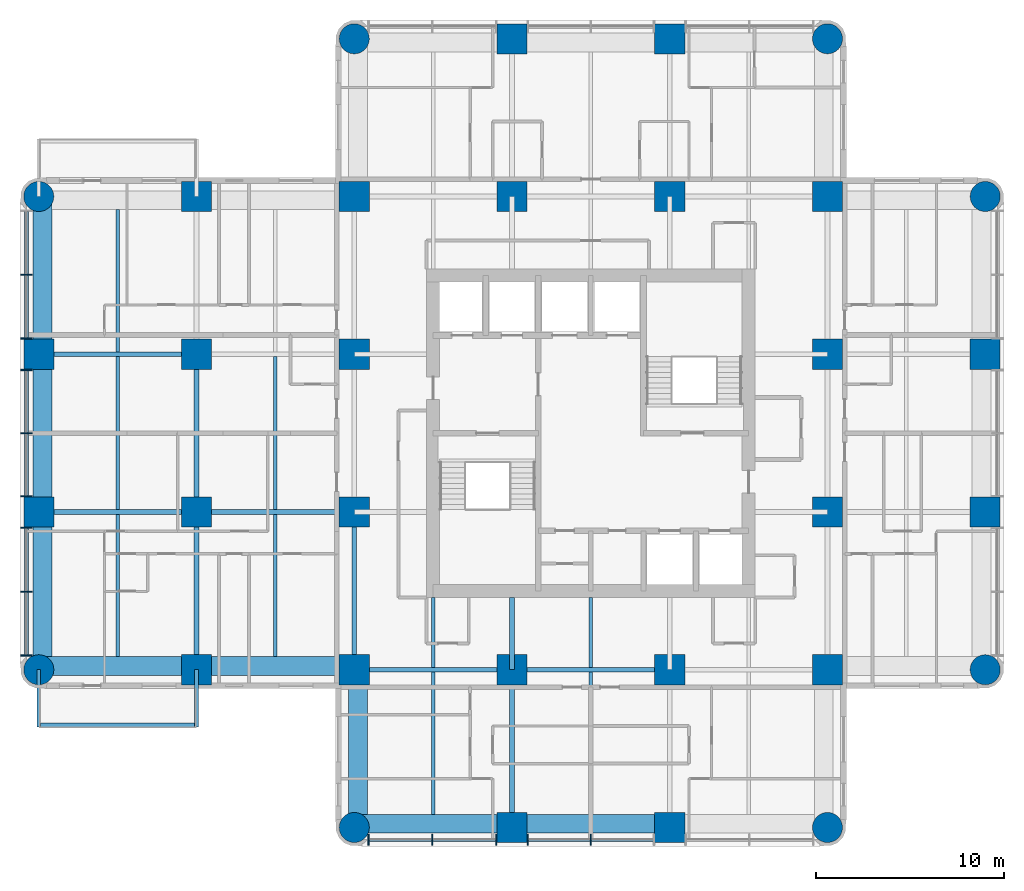
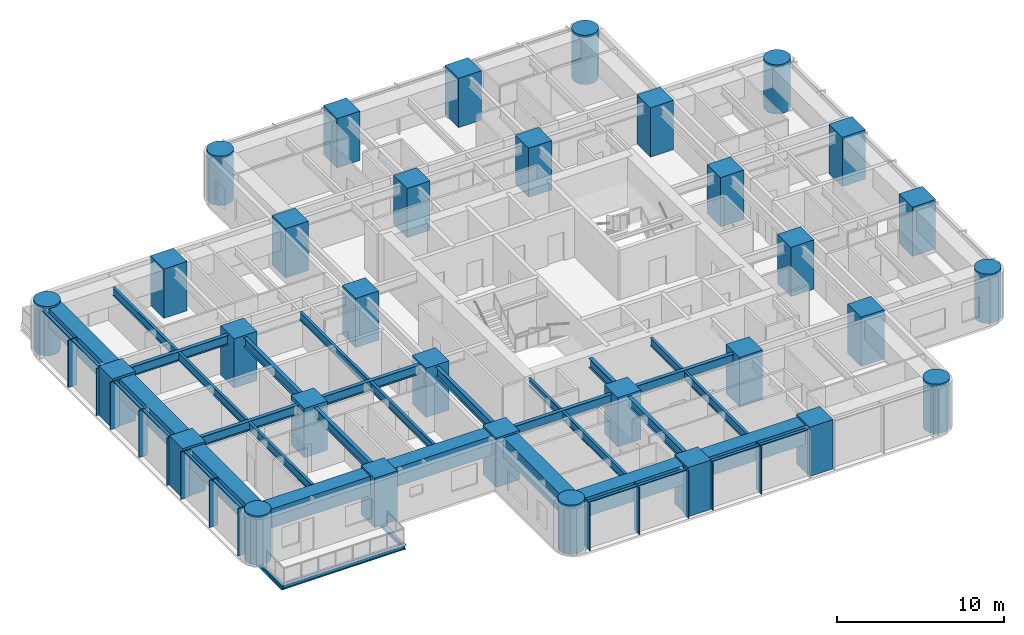
# One storey, part 1 of 11: 32 columns, 30 beams, 23 members, 2 elements without a shape of their own.
"""IFC4 building model written with IfcOpenShell, lengths in metres."""

from ifc_helpers import new_model, si_unit, direction, frame, origin, origin_2d, place, context, subcontext, project, spatial, rectangle, circle, i_section, extrude, material, material_profile, profile_set, type_object, element, aggregate, save


model = new_model("IFC4")

# Units and contexts
model_context = context("Model", 3, precision=1e-05, world=origin(), true_north=direction((0.0, 1.0)))
body_context = subcontext(model_context, "Body", "Model", "MODEL_VIEW")
ifc_project = project(units=[si_unit("LENGTHUNIT", "METRE"), si_unit("AREAUNIT", "SQUARE_METRE"), si_unit("VOLUMEUNIT", "CUBIC_METRE"), si_unit("PLANEANGLEUNIT", "RADIAN"), si_unit("MASSUNIT", "GRAM", prefix="KILO")], contexts=[model_context])

# Site, building, storey
site_placement = place(None, origin())
site = spatial("IfcSite", under=ifc_project, at=site_placement, CompositionType="ELEMENT")
building_placement = place(site_placement, origin())
building = spatial("IfcBuilding", under=site, at=building_placement, Name="Torre Alcanfor", CompositionType="ELEMENT")
storey_placement = place(building_placement, frame((0.0, 0.0, 240.89990234375)))
storey = spatial("IfcBuildingStorey", under=building, at=storey_placement, Name="L63", CompositionType="ELEMENT", Elevation=240.89990234375)

# Columns
ifc_material_1 = material(Name="Concrete f'c 70 MPa", Category="concrete")
ifc_material_profile_1 = material_profile(ifc_material_1, rectangle(XDim=1.60009765625, YDim=1.60009765625, at=origin_2d()), Name="1600x1600")
ifc_profile_set_1 = profile_set([ifc_material_profile_1], Name="Concrete f'c 70 MPa")
column_type_1 = type_object("IfcColumnType", Name="RC column 1600x1600 f'c70", PredefinedType="COLUMN", material=ifc_profile_set_1)
for number, where, z_axis, x_axis, name in (
    (1, (0.0, 25.199951171875, 0.0), (0.0, 0.0, 1.0), (1.0, 0.0, 0.0), "Column 1/F L63"),
    (2, (0.0, 33.60009765625, 0.0), (0.0, 0.0, 1.0), (1.0, 0.0, 0.0), "Column 1/G L63"),
    (3, (8.39990234375, 16.800048828125, 0.0), (0.0, 0.0, 1.0), (1.0, 0.0, 0.0), "Column 2/E L63"),
    (4, (8.39990234375, 25.199951171875, 0.0), (0.0, 0.0, 1.0), (1.0, 0.0, 0.0), "Column 2/F L63"),
    (5, (8.39990234375, 33.60009765625, 0.0), (0.0, 0.0, 1.0), (1.0, 0.0, 0.0), "Column 2/G L63"),
    (6, (8.39990234375, 42.0, 0.0), (0.0, 0.0, 1.0), (1.0, 0.0, 0.0), "Column 2/H L63"),
    (7, (16.800048828125, 16.800048828125, 0.0), (0.0, 0.0, 1.0), (1.0, 0.0, 0.0), "Column 3/E L63"),
    (8, (16.800048828125, 25.199951171875, 0.0), (0.0, 0.0, 1.0), (1.0, 0.0, 0.0), "Column 3/F L63"),
    (9, (16.800048828125, 33.60009765625, 0.0), (0.0, 0.0, 1.0), (1.0, 0.0, 0.0), "Column 3/G L63"),
    (10, (16.800048828125, 42.0, 0.0), (0.0, 0.0, 1.0), (1.0, 0.0, 0.0), "Column 3/H L63"),
    (11, (25.199951171875, 8.39990234375, 0.0), (0.0, 0.0, 1.0), (1.0, 0.0, 0.0), "Column 4/D L63"),
    (12, (25.199951171875, 16.800048828125, 0.0), (0.0, 0.0, 1.0), (1.0, 0.0, 0.0), "Column 4/E L63"),
    (13, (25.199951171875, 42.0, 0.0), (0.0, 0.0, 1.0), (1.0, 0.0, 0.0), "Column 4/H L63"),
    (14, (25.199951171875, 50.39990234375, 0.0), (0.0, 0.0, 1.0), (1.0, 0.0, 0.0), "Column 4/J L63"),
    (15, (33.60009765625, 8.39990234375, 0.0), (0.0, 0.0, 1.0), (1.0, 0.0, 0.0), "Column 5/D L63"),
    (16, (33.60009765625, 16.800048828125, 0.0), (0.0, 0.0, 1.0), (1.0, 0.0, 0.0), "Column 5/E L63"),
    (17, (33.60009765625, 42.0, 0.0), (0.0, 0.0, 1.0), (1.0, 0.0, 0.0), "Column 5/H L63"),
    (18, (33.60009765625, 50.39990234375, 0.0), (0.0, 0.0, 1.0), (1.0, 0.0, 0.0), "Column 5/J L63"),
    (19, (42.0, 16.800048828125, 0.0), (0.0, 0.0, 1.0), (1.0, 0.0, 0.0), "Column 6/E L63"),
    (20, (42.0, 25.199951171875, 0.0), (0.0, 0.0, 1.0), (1.0, 0.0, 0.0), "Column 6/F L63"),
    (21, (42.0, 33.60009765625, 0.0), (0.0, 0.0, 1.0), (1.0, 0.0, 0.0), "Column 6/G L63"),
    (22, (42.0, 42.0, 0.0), (0.0, 0.0, 1.0), (1.0, 0.0, 0.0), "Column 6/H L63"),
    (23, (50.39990234375, 25.199951171875, 0.0), (0.0, 0.0, 1.0), (1.0, 0.0, 0.0), "Column 7/F L63"),
    (24, (50.39990234375, 33.60009765625, 0.0), (0.0, 0.0, 1.0), (1.0, 0.0, 0.0), "Column 7/G L63"),
):
    element("IfcColumn", number, at=place(storey_placement, frame(where, z_axis=z_axis, x_axis=x_axis)), inside=storey, type_object=column_type_1, Name=name, PredefinedType="COLUMN", context=body_context, shape_type="SweptSolid", body=[
        extrude(rectangle(XDim=1.60009765625, YDim=1.60009765625, at=origin_2d()), origin(), (0.0, 0.0, 1.0), 3.60009765625),
    ])
ifc_material_2 = material(Name="Concrete f'c 70 MPa", Category="concrete")
ifc_material_profile_2 = material_profile(ifc_material_2, circle(Radius=0.800048828125, at=origin_2d()), Name="D1600")
ifc_profile_set_2 = profile_set([ifc_material_profile_2], Name="Concrete f'c 70 MPa")
column_type_2 = type_object("IfcColumnType", Name="RC column D1600 f'c70", PredefinedType="COLUMN", material=ifc_profile_set_2)
for number, where, z_axis, x_axis, name in (
    (25, (0.0, 16.800048828125, 0.0), (0.0, 0.0, 1.0), (1.0, 0.0, 0.0), "Column 1/E L63"),
    (26, (0.0, 42.0, 0.0), (0.0, 0.0, 1.0), (1.0, 0.0, 0.0), "Column 1/H L63"),
    (27, (16.800048828125, 8.39990234375, 0.0), (0.0, 0.0, 1.0), (1.0, 0.0, 0.0), "Column 3/D L63"),
    (28, (16.800048828125, 50.39990234375, 0.0), (0.0, 0.0, 1.0), (1.0, 0.0, 0.0), "Column 3/J L63"),
    (29, (42.0, 8.39990234375, 0.0), (0.0, 0.0, 1.0), (1.0, 0.0, 0.0), "Column 6/D L63"),
    (30, (42.0, 50.39990234375, 0.0), (0.0, 0.0, 1.0), (1.0, 0.0, 0.0), "Column 6/J L63"),
    (31, (50.39990234375, 16.800048828125, 0.0), (0.0, 0.0, 1.0), (1.0, 0.0, 0.0), "Column 7/E L63"),
    (32, (50.39990234375, 42.0, 0.0), (0.0, 0.0, 1.0), (1.0, 0.0, 0.0), "Column 7/H L63"),
):
    element("IfcColumn", number, at=place(storey_placement, frame(where, z_axis=z_axis, x_axis=x_axis)), inside=storey, type_object=column_type_2, Name=name, PredefinedType="COLUMN", context=body_context, shape_type="SweptSolid", body=[
        extrude(circle(Radius=0.800048828125, at=origin_2d()), origin(), (0.0, 0.0, 1.0), 3.60009765625),
    ])

# Beams
ifc_material_3 = material(Name="Steel ASTM A992 Grade 50", Category="steel")
ifc_material_profile_3 = material_profile(ifc_material_3, i_section(OverallWidth=0.205322265625, OverallDepth=0.309814453125, WebThickness=0.00927734375, FlangeThickness=0.016357421875, at=origin_2d()), Name="W12x50")
ifc_profile_set_3 = profile_set([ifc_material_profile_3], Name="Steel ASTM A992 Grade 50")
beam_type_1 = type_object("IfcBeamType", Name="Balcony cantilever beam W12x50", PredefinedType="BEAM", material=ifc_profile_set_3)
for number, where, z_axis, x_axis, name in (
    (33, (8.39990234375, 16.800048828125, -0.354736328125), (0.0, -1.0, 0.0), (1.0, 0.0, 0.0), "Balcony cantilever beam L63-W1 1"),
    (34, (0.0, 16.800048828125, -0.354736328125), (0.0, -1.0, 0.0), (1.0, 0.0, 0.0), "Balcony cantilever beam L63-W1 2"),
):
    element("IfcBeam", number, at=place(storey_placement, frame(where, z_axis=z_axis, x_axis=x_axis)), inside=storey, type_object=beam_type_1, Name=name, PredefinedType="BEAM", context=body_context, shape_type="SweptSolid", body=[
        extrude(i_section(OverallWidth=0.205322265625, OverallDepth=0.309814453125, WebThickness=0.00927734375, FlangeThickness=0.016357421875, at=origin_2d()), origin(), (0.0, 0.0, 1.0), 3.050048828125),
    ])
ifc_material_4 = material(Name="Steel ASTM A992 Grade 50", Category="steel")
ifc_material_profile_4 = material_profile(ifc_material_4, i_section(OverallWidth=0.203369140625, OverallDepth=0.30224609375, WebThickness=0.007568359375, FlangeThickness=0.01318359375, at=origin_2d()), Name="W12x40")
ifc_profile_set_4 = profile_set([ifc_material_profile_4], Name="Steel ASTM A992 Grade 50")
beam_type_2 = type_object("IfcBeamType", Name="Balcony edge trimmer W12x40", PredefinedType="BEAM", material=ifc_profile_set_4)
beam_1_placement = place(storey_placement, frame((8.39990234375, 13.851806640625, -0.35107421875), z_axis=(-1.0, 0.0, 0.0), x_axis=(0.0, -1.0, 0.0)))
element("IfcBeam", 35, at=beam_1_placement, inside=storey, type_object=beam_type_2, Name="Balcony edge trimmer L63-W1", PredefinedType="BEAM", context=body_context, shape_type="SweptSolid", body=[
    extrude(i_section(OverallWidth=0.203369140625, OverallDepth=0.30224609375, WebThickness=0.007568359375, FlangeThickness=0.01318359375, at=origin_2d()), origin(), (0.0, 0.0, 1.0), 8.39990234375),
])

# Curtain wall, members
ifc_material_5 = material(Name="Aluminium and glass", Category="aluminium")
curtain_wall_type = type_object("IfcCurtainWallType", Name="CW-A unitised apartment glazing with vertical FIN", PredefinedType="NOTDEFINED", material=ifc_material_5)
curtain_wall_1_placement = place(storey_placement, origin())
curtain_wall_1 = element("IfcCurtainWall", 36, at=curtain_wall_1_placement, inside=storey, type_object=curtain_wall_type, Name="Curtain wall CW-A L63 2", PredefinedType="NOTDEFINED")
ifc_material_6 = material(Name="Bronze anodised aluminium", Category="aluminium")
ifc_material_profile_5 = material_profile(ifc_material_6, rectangle(XDim=0.60009765625, YDim=0.06494140625, at=origin_2d()), Name="CW-A mullion 65x600")
ifc_profile_set_5 = profile_set([ifc_material_profile_5], Name="Bronze anodised aluminium")
member_type_1 = type_object("IfcMemberType", Name="CW-A mullion with vertical FIN 65x600", PredefinedType="MULLION", material=ifc_profile_set_5)
member_1_placement = place(storey_placement, frame((-0.64990234375, 37.840087890625, 0.0), z_axis=(0.0, 0.0, 1.0), x_axis=(1.0, 0.0, 0.0)))
member_1 = element("IfcMember", 37, at=member_1_placement, type_object=member_type_1, Name="CW-A mullion 1.2", PredefinedType="MULLION", context=body_context, shape_type="SweptSolid", body=[
    extrude(rectangle(XDim=0.60009765625, YDim=0.06494140625, at=origin_2d()), origin(), (0.0, 0.0, 1.0), 3.4501953125),
])
member_2_placement = place(storey_placement, frame((-0.64990234375, 34.4375, 0.0), z_axis=(0.0, 0.0, 1.0), x_axis=(1.0, 0.0, 0.0)))
member_2 = element("IfcMember", 38, at=member_2_placement, type_object=member_type_1, Name="CW-A mullion 1.3", PredefinedType="MULLION", context=body_context, shape_type="SweptSolid", body=[
    extrude(rectangle(XDim=0.60009765625, YDim=0.06494140625, at=origin_2d()), origin(), (0.0, 0.0, 1.0), 3.4501953125),
])
member_3_placement = place(storey_placement, frame((-0.64990234375, 32.762451171875, 0.0), z_axis=(0.0, 0.0, 1.0), x_axis=(1.0, 0.0, 0.0)))
member_3 = element("IfcMember", 39, at=member_3_placement, type_object=member_type_1, Name="CW-A mullion 2.1", PredefinedType="MULLION", context=body_context, shape_type="SweptSolid", body=[
    extrude(rectangle(XDim=0.60009765625, YDim=0.06494140625, at=origin_2d()), origin(), (0.0, 0.0, 1.0), 3.4501953125),
])
member_4_placement = place(storey_placement, frame((-0.64990234375, 29.39990234375, 0.0), z_axis=(0.0, 0.0, 1.0), x_axis=(1.0, 0.0, 0.0)))
member_4 = element("IfcMember", 40, at=member_4_placement, type_object=member_type_1, Name="CW-A mullion 2.2", PredefinedType="MULLION", context=body_context, shape_type="SweptSolid", body=[
    extrude(rectangle(XDim=0.60009765625, YDim=0.06494140625, at=origin_2d()), origin(), (0.0, 0.0, 1.0), 3.4501953125),
])
member_5_placement = place(storey_placement, frame((-0.64990234375, 26.03759765625, 0.0), z_axis=(0.0, 0.0, 1.0), x_axis=(1.0, 0.0, 0.0)))
member_5 = element("IfcMember", 41, at=member_5_placement, type_object=member_type_1, Name="CW-A mullion 2.3", PredefinedType="MULLION", context=body_context, shape_type="SweptSolid", body=[
    extrude(rectangle(XDim=0.60009765625, YDim=0.06494140625, at=origin_2d()), origin(), (0.0, 0.0, 1.0), 3.4501953125),
])
member_6_placement = place(storey_placement, frame((-0.64990234375, 24.362548828125, 0.0), z_axis=(0.0, 0.0, 1.0), x_axis=(1.0, 0.0, 0.0)))
member_6 = element("IfcMember", 42, at=member_6_placement, type_object=member_type_1, Name="CW-A mullion 3.1", PredefinedType="MULLION", context=body_context, shape_type="SweptSolid", body=[
    extrude(rectangle(XDim=0.60009765625, YDim=0.06494140625, at=origin_2d()), origin(), (0.0, 0.0, 1.0), 3.4501953125),
])
member_7_placement = place(storey_placement, frame((-0.64990234375, 20.9599609375, 0.0), z_axis=(0.0, 0.0, 1.0), x_axis=(1.0, 0.0, 0.0)))
member_7 = element("IfcMember", 43, at=member_7_placement, type_object=member_type_1, Name="CW-A mullion 3.2", PredefinedType="MULLION", context=body_context, shape_type="SweptSolid", body=[
    extrude(rectangle(XDim=0.60009765625, YDim=0.06494140625, at=origin_2d()), origin(), (0.0, 0.0, 1.0), 3.4501953125),
])
member_8_placement = place(storey_placement, frame((-0.64990234375, 17.557373046875, 0.0), z_axis=(0.0, 0.0, 1.0), x_axis=(1.0, 0.0, 0.0)))
member_8 = element("IfcMember", 44, at=member_8_placement, type_object=member_type_1, Name="CW-A mullion 3.3", PredefinedType="MULLION", context=body_context, shape_type="SweptSolid", body=[
    extrude(rectangle(XDim=0.60009765625, YDim=0.06494140625, at=origin_2d()), origin(), (0.0, 0.0, 1.0), 3.4501953125),
])

curtain_wall_2_placement = place(storey_placement, origin())
curtain_wall_2 = element("IfcCurtainWall", 45, at=curtain_wall_2_placement, inside=storey, type_object=curtain_wall_type, Name="Curtain wall CW-A L63 5", PredefinedType="NOTDEFINED")
member_9_placement = place(storey_placement, frame((17.557373046875, 7.75, 0.0), z_axis=(0.0, 0.0, 1.0), x_axis=(0.0, 1.0, 0.0)))
member_9 = element("IfcMember", 46, at=member_9_placement, type_object=member_type_1, Name="CW-A mullion 1.1", PredefinedType="MULLION", context=body_context, shape_type="SweptSolid", body=[
    extrude(rectangle(XDim=0.60009765625, YDim=0.06494140625, at=origin_2d()), origin(), (0.0, 0.0, 1.0), 3.4501953125),
])
member_10_placement = place(storey_placement, frame((20.9599609375, 7.75, 0.0), z_axis=(0.0, 0.0, 1.0), x_axis=(0.0, 1.0, 0.0)))
member_10 = element("IfcMember", 47, at=member_10_placement, type_object=member_type_1, Name="CW-A mullion 1.2", PredefinedType="MULLION", context=body_context, shape_type="SweptSolid", body=[
    extrude(rectangle(XDim=0.60009765625, YDim=0.06494140625, at=origin_2d()), origin(), (0.0, 0.0, 1.0), 3.4501953125),
])
member_11_placement = place(storey_placement, frame((24.362548828125, 7.75, 0.0), z_axis=(0.0, 0.0, 1.0), x_axis=(0.0, 1.0, 0.0)))
member_11 = element("IfcMember", 48, at=member_11_placement, type_object=member_type_1, Name="CW-A mullion 1.3", PredefinedType="MULLION", context=body_context, shape_type="SweptSolid", body=[
    extrude(rectangle(XDim=0.60009765625, YDim=0.06494140625, at=origin_2d()), origin(), (0.0, 0.0, 1.0), 3.4501953125),
])
member_12_placement = place(storey_placement, frame((26.03759765625, 7.75, 0.0), z_axis=(0.0, 0.0, 1.0), x_axis=(0.0, 1.0, 0.0)))
member_12 = element("IfcMember", 49, at=member_12_placement, type_object=member_type_1, Name="CW-A mullion 2.1", PredefinedType="MULLION", context=body_context, shape_type="SweptSolid", body=[
    extrude(rectangle(XDim=0.60009765625, YDim=0.06494140625, at=origin_2d()), origin(), (0.0, 0.0, 1.0), 3.4501953125),
])
member_13_placement = place(storey_placement, frame((29.39990234375, 7.75, 0.0), z_axis=(0.0, 0.0, 1.0), x_axis=(0.0, 1.0, 0.0)))
member_13 = element("IfcMember", 50, at=member_13_placement, type_object=member_type_1, Name="CW-A mullion 2.2", PredefinedType="MULLION", context=body_context, shape_type="SweptSolid", body=[
    extrude(rectangle(XDim=0.60009765625, YDim=0.06494140625, at=origin_2d()), origin(), (0.0, 0.0, 1.0), 3.4501953125),
])

# Member
ifc_material_7 = material(Name="Extruded aluminium", Category="aluminium")
ifc_material_profile_6 = material_profile(ifc_material_7, rectangle(XDim=0.199951171875, YDim=0.06494140625, at=origin_2d()), Name="CW-A transom 200x65")
ifc_profile_set_6 = profile_set([ifc_material_profile_6], Name="Extruded aluminium")
member_type_2 = type_object("IfcMemberType", Name="CW-A transom 65x200", PredefinedType="USERDEFINED", material=ifc_profile_set_6)
member_14_placement = place(storey_placement, frame((-0.64990234375, 41.210205078125, 3.41748046875), z_axis=(0.0, -1.0, 0.0), x_axis=(1.0, 0.0, 0.0)))
member_14 = element("IfcMember", 51, at=member_14_placement, type_object=member_type_2, Name="CW-A transom 1.1.2", ObjectType="TRANSOM", PredefinedType="USERDEFINED", context=body_context, shape_type="SweptSolid", body=[
    extrude(rectangle(XDim=0.199951171875, YDim=0.06494140625, at=origin_2d()), origin(), (0.0, 0.0, 1.0), 3.337646484375),
])

member_15_placement = place(storey_placement, frame((-0.64990234375, 37.8076171875, 3.41748046875), z_axis=(0.0, -1.0, 0.0), x_axis=(1.0, 0.0, 0.0)))
member_15 = element("IfcMember", 52, at=member_15_placement, type_object=member_type_2, Name="CW-A transom 1.2.2", ObjectType="TRANSOM", PredefinedType="USERDEFINED", context=body_context, shape_type="SweptSolid", body=[
    extrude(rectangle(XDim=0.199951171875, YDim=0.06494140625, at=origin_2d()), origin(), (0.0, 0.0, 1.0), 3.337646484375),
])

member_16_placement = place(storey_placement, frame((-0.64990234375, 32.72998046875, 3.41748046875), z_axis=(0.0, -1.0, 0.0), x_axis=(1.0, 0.0, 0.0)))
member_16 = element("IfcMember", 53, at=member_16_placement, type_object=member_type_2, Name="CW-A transom 2.1.2", ObjectType="TRANSOM", PredefinedType="USERDEFINED", context=body_context, shape_type="SweptSolid", body=[
    extrude(rectangle(XDim=0.199951171875, YDim=0.06494140625, at=origin_2d()), origin(), (0.0, 0.0, 1.0), 3.29736328125),
])

member_17_placement = place(storey_placement, frame((-0.64990234375, 29.367431640625, 3.41748046875), z_axis=(0.0, -1.0, 0.0), x_axis=(1.0, 0.0, 0.0)))
member_17 = element("IfcMember", 54, at=member_17_placement, type_object=member_type_2, Name="CW-A transom 2.2.2", ObjectType="TRANSOM", PredefinedType="USERDEFINED", context=body_context, shape_type="SweptSolid", body=[
    extrude(rectangle(XDim=0.199951171875, YDim=0.06494140625, at=origin_2d()), origin(), (0.0, 0.0, 1.0), 3.29736328125),
])

member_18_placement = place(storey_placement, frame((-0.64990234375, 24.330078125, 3.41748046875), z_axis=(0.0, -1.0, 0.0), x_axis=(1.0, 0.0, 0.0)))
member_18 = element("IfcMember", 55, at=member_18_placement, type_object=member_type_2, Name="CW-A transom 3.1.2", ObjectType="TRANSOM", PredefinedType="USERDEFINED", context=body_context, shape_type="SweptSolid", body=[
    extrude(rectangle(XDim=0.199951171875, YDim=0.06494140625, at=origin_2d()), origin(), (0.0, 0.0, 1.0), 3.337646484375),
])

member_19_placement = place(storey_placement, frame((-0.64990234375, 20.927490234375, 3.41748046875), z_axis=(0.0, -1.0, 0.0), x_axis=(1.0, 0.0, 0.0)))
member_19 = element("IfcMember", 56, at=member_19_placement, type_object=member_type_2, Name="CW-A transom 3.2.2", ObjectType="TRANSOM", PredefinedType="USERDEFINED", context=body_context, shape_type="SweptSolid", body=[
    extrude(rectangle(XDim=0.199951171875, YDim=0.06494140625, at=origin_2d()), origin(), (0.0, 0.0, 1.0), 3.337646484375),
])

aggregate(curtain_wall_1, [member_1, member_2, member_14, member_15, member_3, member_4, member_5, member_16, member_17, member_6, member_7, member_8, member_18, member_19])

member_20_placement = place(storey_placement, frame((17.58984375, 7.75, 3.41748046875), z_axis=(1.0, 0.0, 0.0), x_axis=(0.0, 1.0, 0.0)))
member_20 = element("IfcMember", 57, at=member_20_placement, type_object=member_type_2, Name="CW-A transom 1.1.2", ObjectType="TRANSOM", PredefinedType="USERDEFINED", context=body_context, shape_type="SweptSolid", body=[
    extrude(rectangle(XDim=0.199951171875, YDim=0.06494140625, at=origin_2d()), origin(), (0.0, 0.0, 1.0), 3.337646484375),
])

member_21_placement = place(storey_placement, frame((20.992431640625, 7.75, 3.41748046875), z_axis=(1.0, 0.0, 0.0), x_axis=(0.0, 1.0, 0.0)))
member_21 = element("IfcMember", 58, at=member_21_placement, type_object=member_type_2, Name="CW-A transom 1.2.2", ObjectType="TRANSOM", PredefinedType="USERDEFINED", context=body_context, shape_type="SweptSolid", body=[
    extrude(rectangle(XDim=0.199951171875, YDim=0.06494140625, at=origin_2d()), origin(), (0.0, 0.0, 1.0), 3.337646484375),
])

member_22_placement = place(storey_placement, frame((26.070068359375, 7.75, 3.41748046875), z_axis=(1.0, 0.0, 0.0), x_axis=(0.0, 1.0, 0.0)))
member_22 = element("IfcMember", 59, at=member_22_placement, type_object=member_type_2, Name="CW-A transom 2.1.2", ObjectType="TRANSOM", PredefinedType="USERDEFINED", context=body_context, shape_type="SweptSolid", body=[
    extrude(rectangle(XDim=0.199951171875, YDim=0.06494140625, at=origin_2d()), origin(), (0.0, 0.0, 1.0), 3.29736328125),
])

member_23_placement = place(storey_placement, frame((29.4326171875, 7.75, 3.41748046875), z_axis=(1.0, 0.0, 0.0), x_axis=(0.0, 1.0, 0.0)))
member_23 = element("IfcMember", 60, at=member_23_placement, type_object=member_type_2, Name="CW-A transom 2.2.2", ObjectType="TRANSOM", PredefinedType="USERDEFINED", context=body_context, shape_type="SweptSolid", body=[
    extrude(rectangle(XDim=0.199951171875, YDim=0.06494140625, at=origin_2d()), origin(), (0.0, 0.0, 1.0), 3.29736328125),
])

aggregate(curtain_wall_2, [member_9, member_10, member_11, member_20, member_21, member_12, member_13, member_22, member_23])

# Beams
ifc_material_8 = material(Name="Steel ASTM A992 Grade 50", Category="steel")
ifc_material_profile_7 = material_profile(ifc_material_8, i_section(OverallWidth=0.25390625, OverallDepth=0.683349609375, WebThickness=0.012451171875, FlangeThickness=0.01904296875, at=origin_2d()), Name="W27x94")
ifc_profile_set_7 = profile_set([ifc_material_profile_7], Name="Steel ASTM A992 Grade 50")
beam_type_3 = type_object("IfcBeamType", Name="Girder W27x94", PredefinedType="BEAM", material=ifc_profile_set_7)
beam_2_placement = place(storey_placement, frame((16.800048828125, 16.800048828125, 3.1083984375), z_axis=(1.0, 0.0, 0.0), x_axis=(0.0, 1.0, 0.0)))
element("IfcBeam", 61, at=beam_2_placement, inside=storey, type_object=beam_type_3, Name="Beam 3E-4E under L64", PredefinedType="BEAM", context=body_context, shape_type="SweptSolid", body=[
    extrude(i_section(OverallWidth=0.25390625, OverallDepth=0.683349609375, WebThickness=0.012451171875, FlangeThickness=0.01904296875, at=origin_2d()), origin(), (0.0, 0.0, 1.0), 8.39990234375),
])
beam_3_placement = place(storey_placement, frame((25.199951171875, 16.800048828125, 3.1083984375), z_axis=(1.0, 0.0, 0.0), x_axis=(0.0, 1.0, 0.0)))
element("IfcBeam", 62, at=beam_3_placement, inside=storey, type_object=beam_type_3, Name="Beam 4E-5E under L64", PredefinedType="BEAM", context=body_context, shape_type="SweptSolid", body=[
    extrude(i_section(OverallWidth=0.25390625, OverallDepth=0.683349609375, WebThickness=0.012451171875, FlangeThickness=0.01904296875, at=origin_2d()), origin(), (0.0, 0.0, 1.0), 8.400146484375),
])
beam_4_placement = place(storey_placement, frame((0.0, 25.199951171875, 3.1083984375), z_axis=(1.0, 0.0, 0.0), x_axis=(0.0, 1.0, 0.0)))
element("IfcBeam", 63, at=beam_4_placement, inside=storey, type_object=beam_type_3, Name="Beam 1F-2F under L64", PredefinedType="BEAM", context=body_context, shape_type="SweptSolid", body=[
    extrude(i_section(OverallWidth=0.25390625, OverallDepth=0.683349609375, WebThickness=0.012451171875, FlangeThickness=0.01904296875, at=origin_2d()), origin(), (0.0, 0.0, 1.0), 8.39990234375),
])
beam_5_placement = place(storey_placement, frame((8.39990234375, 25.199951171875, 3.1083984375), z_axis=(1.0, 0.0, 0.0), x_axis=(0.0, 1.0, 0.0)))
element("IfcBeam", 64, at=beam_5_placement, inside=storey, type_object=beam_type_3, Name="Beam 2F-3F under L64", PredefinedType="BEAM", context=body_context, shape_type="SweptSolid", body=[
    extrude(i_section(OverallWidth=0.25390625, OverallDepth=0.683349609375, WebThickness=0.012451171875, FlangeThickness=0.01904296875, at=origin_2d()), origin(), (0.0, 0.0, 1.0), 8.400146484375),
])
for number, where, z_axis, x_axis, name in (
    (65, (0.0, 33.60009765625, 3.1083984375), (1.0, 0.0, 0.0), (0.0, 1.0, 0.0), "Beam 1G-2G under L64"),
    (66, (8.39990234375, 16.800048828125, 3.1083984375), (0.0, 1.0, 0.0), (-1.0, 0.0, 0.0), "Beam 2E-2F under L64"),
):
    element("IfcBeam", number, at=place(storey_placement, frame(where, z_axis=z_axis, x_axis=x_axis)), inside=storey, type_object=beam_type_3, Name=name, PredefinedType="BEAM", context=body_context, shape_type="SweptSolid", body=[
        extrude(i_section(OverallWidth=0.25390625, OverallDepth=0.683349609375, WebThickness=0.012451171875, FlangeThickness=0.01904296875, at=origin_2d()), origin(), (0.0, 0.0, 1.0), 8.39990234375),
    ])
beam_6_placement = place(storey_placement, frame((8.39990234375, 25.199951171875, 3.1083984375), z_axis=(0.0, 1.0, 0.0), x_axis=(-1.0, 0.0, 0.0)))
element("IfcBeam", 67, at=beam_6_placement, inside=storey, type_object=beam_type_3, Name="Beam 2F-2G under L64", PredefinedType="BEAM", context=body_context, shape_type="SweptSolid", body=[
    extrude(i_section(OverallWidth=0.25390625, OverallDepth=0.683349609375, WebThickness=0.012451171875, FlangeThickness=0.01904296875, at=origin_2d()), origin(), (0.0, 0.0, 1.0), 8.400146484375),
])
beam_7_placement = place(storey_placement, frame((16.800048828125, 16.800048828125, 3.1083984375), z_axis=(0.0, 1.0, 0.0), x_axis=(-1.0, 0.0, 0.0)))
element("IfcBeam", 68, at=beam_7_placement, inside=storey, type_object=beam_type_3, Name="Beam 3E-3F under L64", PredefinedType="BEAM", context=body_context, shape_type="SweptSolid", body=[
    extrude(i_section(OverallWidth=0.25390625, OverallDepth=0.683349609375, WebThickness=0.012451171875, FlangeThickness=0.01904296875, at=origin_2d()), origin(), (0.0, 0.0, 1.0), 8.39990234375),
])
beam_8_placement = place(storey_placement, frame((25.199951171875, 8.39990234375, 3.1083984375), z_axis=(0.0, 1.0, 0.0), x_axis=(-1.0, 0.0, 0.0)))
element("IfcBeam", 69, at=beam_8_placement, inside=storey, type_object=beam_type_3, Name="Beam 4D-4E under L64", PredefinedType="BEAM", context=body_context, shape_type="SweptSolid", body=[
    extrude(i_section(OverallWidth=0.25390625, OverallDepth=0.683349609375, WebThickness=0.012451171875, FlangeThickness=0.01904296875, at=origin_2d()), origin(), (0.0, 0.0, 1.0), 8.400146484375),
])
ifc_material_9 = material(Name="Steel ASTM A992 Grade 50", Category="steel")
ifc_material_profile_8 = material_profile(ifc_material_9, i_section(OverallWidth=0.25390625, OverallDepth=0.683349609375, WebThickness=0.012451171875, FlangeThickness=0.01904296875, at=origin_2d()), Name="W27x94")
ifc_profile_set_8 = profile_set([ifc_material_profile_8], Name="Steel ASTM A992 Grade 50")
beam_type_4 = type_object("IfcBeamType", Name="Girder, part bay W27x94", PredefinedType="BEAM", material=ifc_profile_set_8)
beam_9_placement = place(storey_placement, frame((25.199951171875, 16.800048828125, 3.1083984375), z_axis=(0.0, 1.0, 0.0), x_axis=(-1.0, 0.0, 0.0)))
element("IfcBeam", 70, at=beam_9_placement, inside=storey, type_object=beam_type_4, Name="Beam 4E-420_65 under L64", PredefinedType="BEAM", context=body_context, shape_type="SweptSolid", body=[
    extrude(i_section(OverallWidth=0.25390625, OverallDepth=0.683349609375, WebThickness=0.012451171875, FlangeThickness=0.01904296875, at=origin_2d()), origin(), (0.0, 0.0, 1.0), 3.849853515625),
])
ifc_material_10 = material(Name="Concrete f'c 70 MPa", Category="concrete")
ifc_material_profile_9 = material_profile(ifc_material_10, rectangle(XDim=1.0, YDim=1.39990234375, at=origin_2d()), Name="1000x1400")
ifc_profile_set_9 = profile_set([ifc_material_profile_9], Name="Concrete f'c 70 MPa")
beam_type_5 = type_object("IfcBeamType", Name="RC perimeter beam 1000x1400", PredefinedType="BEAM", material=ifc_profile_set_9)
beam_10_placement = place(storey_placement, frame((16.800048828125, 8.60009765625, 2.75), z_axis=(1.0, 0.0, 0.0), x_axis=(0.0, 1.0, 0.0)))
element("IfcBeam", 71, at=beam_10_placement, inside=storey, type_object=beam_type_5, Name="Beam 3D-4D under L64", PredefinedType="BEAM", context=body_context, shape_type="SweptSolid", body=[
    extrude(rectangle(XDim=1.0, YDim=1.39990234375, at=origin_2d()), origin(), (0.0, 0.0, 1.0), 8.27294921875),
])
beam_11_placement = place(storey_placement, frame((25.326904296875, 8.60009765625, 2.75), z_axis=(1.0, 0.0, 0.0), x_axis=(0.0, 1.0, 0.0)))
element("IfcBeam", 72, at=beam_11_placement, inside=storey, type_object=beam_type_5, Name="Beam 4D-5D under L64", PredefinedType="BEAM", context=body_context, shape_type="SweptSolid", body=[
    extrude(rectangle(XDim=1.0, YDim=1.39990234375, at=origin_2d()), origin(), (0.0, 0.0, 1.0), 8.14599609375),
])
beam_12_placement = place(storey_placement, frame((0.0, 17.0, 2.75), z_axis=(1.0, 0.0, 0.0), x_axis=(0.0, 1.0, 0.0)))
element("IfcBeam", 73, at=beam_12_placement, inside=storey, type_object=beam_type_5, Name="Beam 1E-2E under L64", PredefinedType="BEAM", context=body_context, shape_type="SweptSolid", body=[
    extrude(rectangle(XDim=1.0, YDim=1.39990234375, at=origin_2d()), origin(), (0.0, 0.0, 1.0), 8.27294921875),
])
beam_13_placement = place(storey_placement, frame((8.527099609375, 17.0, 2.75), z_axis=(1.0, 0.0, 0.0), x_axis=(0.0, 1.0, 0.0)))
element("IfcBeam", 74, at=beam_13_placement, inside=storey, type_object=beam_type_5, Name="Beam 2E-3E under L64", PredefinedType="BEAM", context=body_context, shape_type="SweptSolid", body=[
    extrude(rectangle(XDim=1.0, YDim=1.39990234375, at=origin_2d()), origin(), (0.0, 0.0, 1.0), 8.14599609375),
])
beam_14_placement = place(storey_placement, frame((0.199951171875, 16.800048828125, 2.75), z_axis=(0.0, 1.0, 0.0), x_axis=(-1.0, 0.0, 0.0)))
element("IfcBeam", 75, at=beam_14_placement, inside=storey, type_object=beam_type_5, Name="Beam 1E-1F under L64", PredefinedType="BEAM", context=body_context, shape_type="SweptSolid", body=[
    extrude(rectangle(XDim=1.0, YDim=1.39990234375, at=origin_2d()), origin(), (0.0, 0.0, 1.0), 8.27294921875),
])
beam_15_placement = place(storey_placement, frame((0.199951171875, 25.326904296875, 2.75), z_axis=(0.0, 1.0, 0.0), x_axis=(-1.0, 0.0, 0.0)))
element("IfcBeam", 76, at=beam_15_placement, inside=storey, type_object=beam_type_5, Name="Beam 1F-1G under L64", PredefinedType="BEAM", context=body_context, shape_type="SweptSolid", body=[
    extrude(rectangle(XDim=1.0, YDim=1.39990234375, at=origin_2d()), origin(), (0.0, 0.0, 1.0), 8.14599609375),
])
beam_16_placement = place(storey_placement, frame((0.199951171875, 33.72705078125, 2.75), z_axis=(0.0, 1.0, 0.0), x_axis=(-1.0, 0.0, 0.0)))
element("IfcBeam", 77, at=beam_16_placement, inside=storey, type_object=beam_type_5, Name="Beam 1G-1H under L64", PredefinedType="BEAM", context=body_context, shape_type="SweptSolid", body=[
    extrude(rectangle(XDim=1.0, YDim=1.39990234375, at=origin_2d()), origin(), (0.0, 0.0, 1.0), 8.27294921875),
])
beam_17_placement = place(storey_placement, frame((17.0, 8.39990234375, 2.75), z_axis=(0.0, 1.0, 0.0), x_axis=(-1.0, 0.0, 0.0)))
element("IfcBeam", 78, at=beam_17_placement, inside=storey, type_object=beam_type_5, Name="Beam 3D-3E under L64", PredefinedType="BEAM", context=body_context, shape_type="SweptSolid", body=[
    extrude(rectangle(XDim=1.0, YDim=1.39990234375, at=origin_2d()), origin(), (0.0, 0.0, 1.0), 8.273193359375),
])
ifc_material_11 = material(Name="Steel ASTM A992 Grade 50", Category="steel")
ifc_material_profile_10 = material_profile(ifc_material_11, i_section(OverallWidth=0.1787109375, OverallDepth=0.60205078125, WebThickness=0.010986328125, FlangeThickness=0.014892578125, at=origin_2d()), Name="W24x62")
ifc_profile_set_10 = profile_set([ifc_material_profile_10], Name="Steel ASTM A992 Grade 50")
beam_type_6 = type_object("IfcBeamType", Name="Secondary beam W24x62", PredefinedType="BEAM", material=ifc_profile_set_10)
beam_18_placement = place(storey_placement, frame((4.199951171875, 17.5, 3.149169921875), z_axis=(0.0, 1.0, 0.0), x_axis=(-1.0, 0.0, 0.0)))
element("IfcBeam", 79, at=beam_18_placement, inside=storey, type_object=beam_type_6, Name="Beam 4_2E-4_2F under L64", PredefinedType="BEAM", context=body_context, shape_type="SweptSolid", body=[
    extrude(i_section(OverallWidth=0.1787109375, OverallDepth=0.60205078125, WebThickness=0.010986328125, FlangeThickness=0.014892578125, at=origin_2d()), origin(), (0.0, 0.0, 1.0), 7.572998046875),
])
beam_19_placement = place(storey_placement, frame((4.199951171875, 25.326904296875, 3.149169921875), z_axis=(0.0, 1.0, 0.0), x_axis=(-1.0, 0.0, 0.0)))
element("IfcBeam", 80, at=beam_19_placement, inside=storey, type_object=beam_type_6, Name="Beam 4_2F-4_2G under L64", PredefinedType="BEAM", context=body_context, shape_type="SweptSolid", body=[
    extrude(i_section(OverallWidth=0.1787109375, OverallDepth=0.60205078125, WebThickness=0.010986328125, FlangeThickness=0.014892578125, at=origin_2d()), origin(), (0.0, 0.0, 1.0), 8.14599609375),
])
for number, where, z_axis, x_axis, name in (
    (81, (4.199951171875, 33.72705078125, 3.149169921875), (0.0, 1.0, 0.0), (-1.0, 0.0, 0.0), "Beam 4_2G-4_2H under L64"),
    (82, (12.60009765625, 17.5, 3.149169921875), (0.0, 1.0, 0.0), (-1.0, 0.0, 0.0), "Beam 12_6E-12_6F under L64"),
):
    element("IfcBeam", number, at=place(storey_placement, frame(where, z_axis=z_axis, x_axis=x_axis)), inside=storey, type_object=beam_type_6, Name=name, PredefinedType="BEAM", context=body_context, shape_type="SweptSolid", body=[
        extrude(i_section(OverallWidth=0.1787109375, OverallDepth=0.60205078125, WebThickness=0.010986328125, FlangeThickness=0.014892578125, at=origin_2d()), origin(), (0.0, 0.0, 1.0), 7.572998046875),
    ])
beam_20_placement = place(storey_placement, frame((12.60009765625, 25.326904296875, 3.149169921875), z_axis=(0.0, 1.0, 0.0), x_axis=(-1.0, 0.0, 0.0)))
element("IfcBeam", 83, at=beam_20_placement, inside=storey, type_object=beam_type_6, Name="Beam 12_6F-12_6G under L64", PredefinedType="BEAM", context=body_context, shape_type="SweptSolid", body=[
    extrude(i_section(OverallWidth=0.1787109375, OverallDepth=0.60205078125, WebThickness=0.010986328125, FlangeThickness=0.014892578125, at=origin_2d()), origin(), (0.0, 0.0, 1.0), 8.14599609375),
])
for number, where, z_axis, x_axis, name in (
    (84, (21.0, 9.10009765625, 3.149169921875), (0.0, 1.0, 0.0), (-1.0, 0.0, 0.0), "Beam 21D-21E under L64"),
    (85, (29.39990234375, 9.10009765625, 3.149169921875), (0.0, 1.0, 0.0), (-1.0, 0.0, 0.0), "Beam 29_4D-29_4E under L64"),
):
    element("IfcBeam", number, at=place(storey_placement, frame(where, z_axis=z_axis, x_axis=x_axis)), inside=storey, type_object=beam_type_6, Name=name, PredefinedType="BEAM", context=body_context, shape_type="SweptSolid", body=[
        extrude(i_section(OverallWidth=0.1787109375, OverallDepth=0.60205078125, WebThickness=0.010986328125, FlangeThickness=0.014892578125, at=origin_2d()), origin(), (0.0, 0.0, 1.0), 7.572998046875),
    ])
ifc_material_12 = material(Name="Steel ASTM A992 Grade 50", Category="steel")
ifc_material_profile_11 = material_profile(ifc_material_12, i_section(OverallWidth=0.1787109375, OverallDepth=0.60205078125, WebThickness=0.010986328125, FlangeThickness=0.014892578125, at=origin_2d()), Name="W24x62")
ifc_profile_set_11 = profile_set([ifc_material_profile_11], Name="Steel ASTM A992 Grade 50")
beam_type_7 = type_object("IfcBeamType", Name="Secondary beam, part bay W24x62", PredefinedType="BEAM", material=ifc_profile_set_11)
for number, where, z_axis, x_axis, name in (
    (86, (21.0, 16.927001953125, 3.149169921875), (0.0, 1.0, 0.0), (-1.0, 0.0, 0.0), "Beam 21E-2120_65 under L64"),
    (87, (29.39990234375, 16.927001953125, 3.149169921875), (0.0, 1.0, 0.0), (-1.0, 0.0, 0.0), "Beam 29_4E-29_420_65 under L64"),
):
    element("IfcBeam", number, at=place(storey_placement, frame(where, z_axis=z_axis, x_axis=x_axis)), inside=storey, type_object=beam_type_7, Name=name, PredefinedType="BEAM", context=body_context, shape_type="SweptSolid", body=[
        extrude(i_section(OverallWidth=0.1787109375, OverallDepth=0.60205078125, WebThickness=0.010986328125, FlangeThickness=0.014892578125, at=origin_2d()), origin(), (0.0, 0.0, 1.0), 3.722900390625),
    ])

save(model, "model.ifc")
